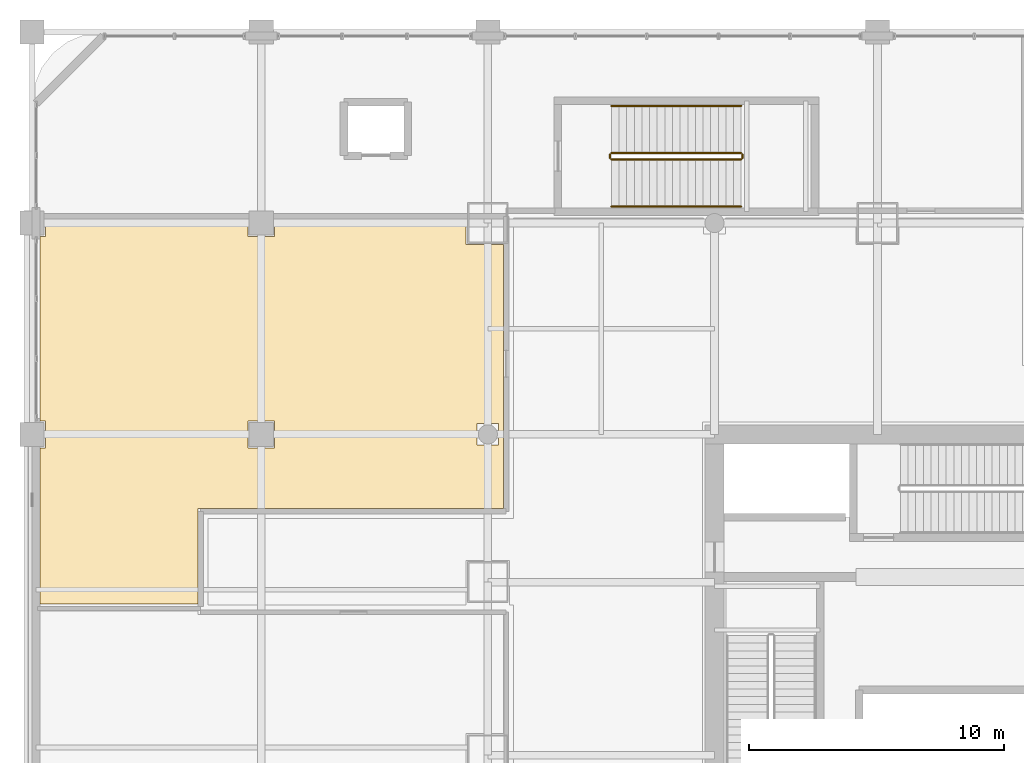
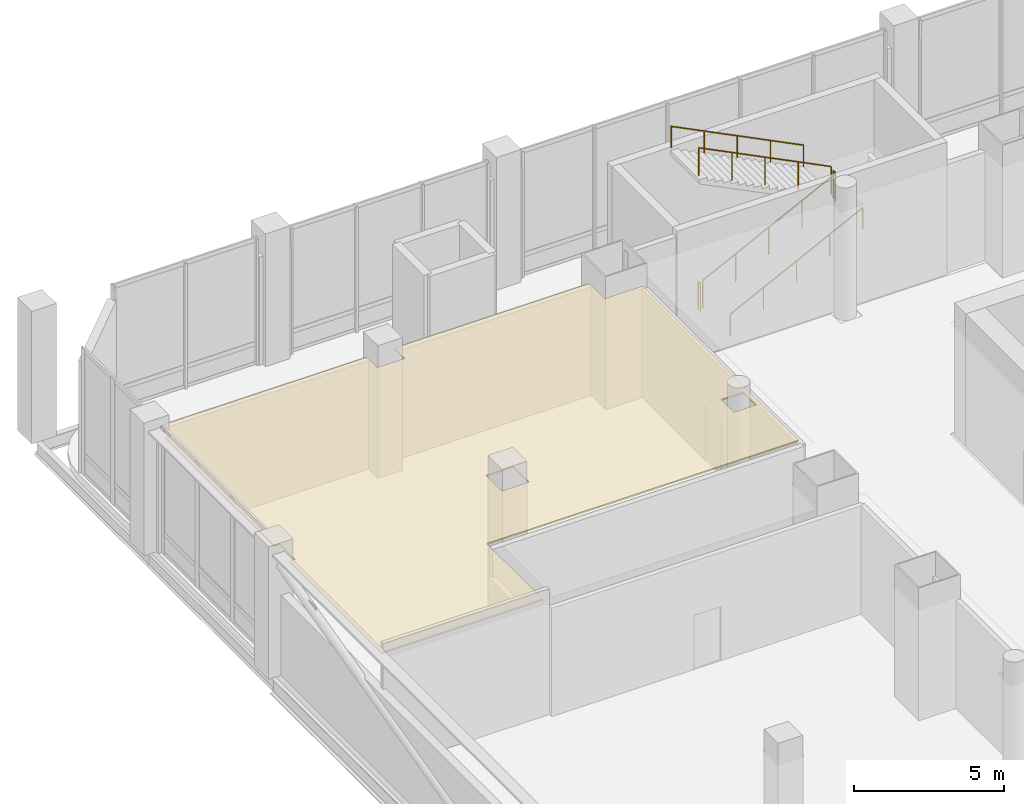
# One storey, part 36 of 39: 6 railings, 1 covering.
"""IFC4 building model written with IfcOpenShell, lengths in metres."""

from ifc_helpers import new_model, si_unit, direction, frame, origin, origin_2d, place, context, subcontext, project, spatial, polyline, circle, outline, extrude, material, layer, layer_set, type_object, element, save


model = new_model("IFC4")

# Units and contexts
model_context = context("Model", 3, precision=1e-05, world=origin(), true_north=direction((0.0, 1.0)))
body_context = subcontext(model_context, "Body", "Model", "MODEL_VIEW")
ifc_project = project(units=[si_unit("LENGTHUNIT", "METRE"), si_unit("AREAUNIT", "SQUARE_METRE"), si_unit("VOLUMEUNIT", "CUBIC_METRE"), si_unit("PLANEANGLEUNIT", "RADIAN"), si_unit("MASSUNIT", "GRAM", prefix="KILO")], contexts=[model_context])

# Site, building, storey
site_placement = place(None, origin())
site = spatial("IfcSite", under=ifc_project, at=site_placement, CompositionType="ELEMENT")
building_placement = place(site_placement, origin())
building = spatial("IfcBuilding", under=site, at=building_placement, Name="Punatoya Terracotta Tower", CompositionType="ELEMENT")
storey_placement = place(building_placement, frame((0.0, 0.0, 11.39990234375)))
storey = spatial("IfcBuildingStorey", under=building, at=storey_placement, Name="L02", CompositionType="ELEMENT", Elevation=11.39990234375)

# Covering
ifc_material_1 = material(Name="Acoustic Mineral Fibre Ceiling")
ifc_layer = layer(ifc_material_1, 0.06005859375)
ifc_layer_set = layer_set([ifc_layer], Name="Acoustic Mineral Fibre Ceiling")
covering_type = type_object("IfcCoveringType", Name="COV-CEIL-60", PredefinedType="CEILING", material=ifc_layer_set)
covering_placement = place(storey_placement, frame((0.0, 0.0, 4.510009765625)))
element("IfcCovering", 1, at=covering_placement, inside=storey, type_object=covering_type, Name="L02 Central Commercial Culinary Kitchen Acoustic Ceiling", PredefinedType="CEILING", context=body_context, shape_type="SweptSolid", body=[
    extrude(outline(polyline([(-36.47509765625, 17.659912109375), (-36.47509765625, 16.97509765625), (-36.679931640625, 16.97509765625), (-36.679931640625, 9.72509765625), (-36.47509765625, 9.72509765625), (-36.47509765625, 8.675048828125), (-36.679931640625, 8.675048828125), (-36.679931640625, 2.5400390625), (-30.47998046875, 2.5400390625), (-30.47998046875, 6.280029296875), (-18.47998046875, 6.280029296875), (-18.47998046875, 16.64990234375), (-19.949951171875, 16.64990234375), (-19.949951171875, 17.659912109375), (-27.47509765625, 17.659912109375), (-27.47509765625, 16.97509765625), (-28.52490234375, 16.97509765625), (-28.52490234375, 17.659912109375), (-36.47509765625, 17.659912109375)]), holes=[polyline([(-18.675048828125, 9.625), (-18.675048828125, 8.77490234375), (-19.52490234375, 8.77490234375), (-19.52490234375, 9.625), (-18.675048828125, 9.625)]), polyline([(-28.52490234375, 9.72509765625), (-27.47509765625, 9.72509765625), (-27.47509765625, 8.675048828125), (-28.52490234375, 8.675048828125), (-28.52490234375, 9.72509765625)])]), origin(), (0.0, 0.0, 1.0), 0.06005859375),
])

# Railings
ifc_material_2 = material(Name="Steel S355", Category="steel")
railing_type_1 = type_object("IfcRailingType", Name="RLG-GRD-1150", PredefinedType="GUARDRAIL", material=ifc_material_2)
railing_1_placement = place(storey_placement, frame((-14.25, 20.0, 0.150146484375)))
element("IfcRailing", 2, at=railing_1_placement, inside=storey, type_object=railing_type_1, Name="L02 ST-P1 stair guard 1", PredefinedType="GUARDRAIL", context=body_context, shape_type="SweptSolid", body=[
    extrude(circle(Radius=0.02392578125, at=origin_2d()), frame((0.0, 0.0, 1.1259765625), z_axis=(0.894427191, 0.0, 0.4472135955), x_axis=(0.0, 1.0, 0.0)), (0.0, 0.0, 1.0), 5.7021484375),
    extrude(circle(Radius=0.02099609375, at=origin_2d()), origin(), (0.0, 0.0, 1.0), 1.101806640625),
    extrude(circle(Radius=0.02099609375, at=origin_2d()), frame((1.27490234375, 0.0, 0.637451171875)), (0.0, 0.0, 1.0), 1.101806640625),
    extrude(circle(Radius=0.02099609375, at=origin_2d()), frame((2.550048828125, 0.0, 1.27490234375)), (0.0, 0.0, 1.0), 1.101806640625),
    extrude(circle(Radius=0.02099609375, at=origin_2d()), frame((3.8251953125, 0.0, 1.91259765625)), (0.0, 0.0, 1.0), 1.101806640625),
    extrude(circle(Radius=0.02099609375, at=origin_2d()), frame((5.10009765625, 0.0, 2.550048828125)), (0.0, 0.0, 1.0), 1.101806640625),
])
railing_2_placement = place(storey_placement, frame((-9.10009765625, 20.050048828125, 2.7001953125)))
element("IfcRailing", 3, at=railing_2_placement, inside=storey, type_object=railing_type_1, Name="L02 ST-P1 stair guard 2", PredefinedType="GUARDRAIL", context=body_context, shape_type="SweptSolid", body=[
    extrude(circle(Radius=0.02392578125, at=origin_2d()), frame((0.0, 0.0, 1.1259765625), z_axis=(0.0, 1.0, 0.0), x_axis=(-1.0, 0.0, 0.0)), (0.0, 0.0, 1.0), 0.14990234375),
    extrude(circle(Radius=0.02099609375, at=origin_2d()), origin(), (0.0, 0.0, 1.0), 1.101806640625),
    extrude(circle(Radius=0.02099609375, at=origin_2d()), frame((0.0, 0.14990234375, 0.0)), (0.0, 0.0, 1.0), 1.101806640625),
])
railing_3_placement = place(storey_placement, frame((-9.14990234375, 20.25, 2.85009765625)))
element("IfcRailing", 4, at=railing_3_placement, inside=storey, type_object=railing_type_1, Name="L02 ST-P1 stair guard 3", PredefinedType="GUARDRAIL", context=body_context, shape_type="SweptSolid", body=[
    extrude(circle(Radius=0.02392578125, at=origin_2d()), frame((0.0, 0.0, 1.1259765625), z_axis=(-0.894427191, 0.0, 0.4472135955), x_axis=(0.0, -1.0, 0.0)), (0.0, 0.0, 1.0), 5.7021484375),
    extrude(circle(Radius=0.02099609375, at=origin_2d()), origin(), (0.0, 0.0, 1.0), 1.101806640625),
    extrude(circle(Radius=0.02099609375, at=origin_2d()), frame((-1.27490234375, 0.0, 0.637451171875)), (0.0, 0.0, 1.0), 1.101806640625),
    extrude(circle(Radius=0.02099609375, at=origin_2d()), frame((-2.550048828125, 0.0, 1.27490234375)), (0.0, 0.0, 1.0), 1.101806640625),
    extrude(circle(Radius=0.02099609375, at=origin_2d()), frame((-3.8251953125, 0.0, 1.91259765625)), (0.0, 0.0, 1.0), 1.101806640625),
    extrude(circle(Radius=0.02099609375, at=origin_2d()), frame((-5.10009765625, 0.0, 2.550048828125)), (0.0, 0.0, 1.0), 1.101806640625),
])
railing_4_placement = place(storey_placement, frame((-14.300048828125, 20.050048828125, 0.0)))
element("IfcRailing", 5, at=railing_4_placement, inside=storey, type_object=railing_type_1, Name="L02 ST-P1 stair guard 4", PredefinedType="GUARDRAIL", context=body_context, shape_type="SweptSolid", body=[
    extrude(circle(Radius=0.02392578125, at=origin_2d()), frame((0.0, 0.0, 1.1259765625), z_axis=(0.0, 1.0, 0.0), x_axis=(-1.0, 0.0, 0.0)), (0.0, 0.0, 1.0), 0.14990234375),
    extrude(circle(Radius=0.02099609375, at=origin_2d()), origin(), (0.0, 0.0, 1.0), 1.101806640625),
    extrude(circle(Radius=0.02099609375, at=origin_2d()), frame((0.0, 0.14990234375, 0.0)), (0.0, 0.0, 1.0), 1.101806640625),
])
railing_type_2 = type_object("IfcRailingType", Name="RLG-HND-900", PredefinedType="HANDRAIL", material=ifc_material_2)
railing_5_placement = place(storey_placement, frame((-14.25, 18.14990234375, 0.150146484375)))
element("IfcRailing", 6, at=railing_5_placement, inside=storey, type_object=railing_type_2, Name="L02 ST-P1 stair handrail 1", PredefinedType="HANDRAIL", context=body_context, shape_type="SweptSolid", body=[
    extrude(circle(Radius=0.02392578125, at=origin_2d()), frame((0.0, 0.0, 0.8759765625), z_axis=(0.894427191, 0.0, 0.4472135955), x_axis=(0.0, 1.0, 0.0)), (0.0, 0.0, 1.0), 5.7021484375),
    extrude(circle(Radius=0.02099609375, at=origin_2d()), origin(), (0.0, 0.0, 1.0), 0.851806640625),
    extrude(circle(Radius=0.02099609375, at=origin_2d()), frame((1.27490234375, 0.0, 0.637451171875)), (0.0, 0.0, 1.0), 0.851806640625),
    extrude(circle(Radius=0.02099609375, at=origin_2d()), frame((2.550048828125, 0.0, 1.27490234375)), (0.0, 0.0, 1.0), 0.851806640625),
    extrude(circle(Radius=0.02099609375, at=origin_2d()), frame((3.8251953125, 0.0, 1.91259765625)), (0.0, 0.0, 1.0), 0.851806640625),
    extrude(circle(Radius=0.02099609375, at=origin_2d()), frame((5.10009765625, 0.0, 2.550048828125)), (0.0, 0.0, 1.0), 0.851806640625),
])
railing_6_placement = place(storey_placement, frame((-9.14990234375, 22.10009765625, 2.85009765625)))
element("IfcRailing", 7, at=railing_6_placement, inside=storey, type_object=railing_type_2, Name="L02 ST-P1 stair handrail 2", PredefinedType="HANDRAIL", context=body_context, shape_type="SweptSolid", body=[
    extrude(circle(Radius=0.02392578125, at=origin_2d()), frame((0.0, 0.0, 0.8759765625), z_axis=(-0.894427191, 0.0, 0.4472135955), x_axis=(0.0, -1.0, 0.0)), (0.0, 0.0, 1.0), 5.7021484375),
    extrude(circle(Radius=0.02099609375, at=origin_2d()), origin(), (0.0, 0.0, 1.0), 0.851806640625),
    extrude(circle(Radius=0.02099609375, at=origin_2d()), frame((-1.27490234375, 0.0, 0.637451171875)), (0.0, 0.0, 1.0), 0.851806640625),
    extrude(circle(Radius=0.02099609375, at=origin_2d()), frame((-2.550048828125, 0.0, 1.27490234375)), (0.0, 0.0, 1.0), 0.851806640625),
    extrude(circle(Radius=0.02099609375, at=origin_2d()), frame((-3.8251953125, 0.0, 1.91259765625)), (0.0, 0.0, 1.0), 0.851806640625),
    extrude(circle(Radius=0.02099609375, at=origin_2d()), frame((-5.10009765625, 0.0, 2.550048828125)), (0.0, 0.0, 1.0), 0.851806640625),
])

save(model, "model.ifc")
